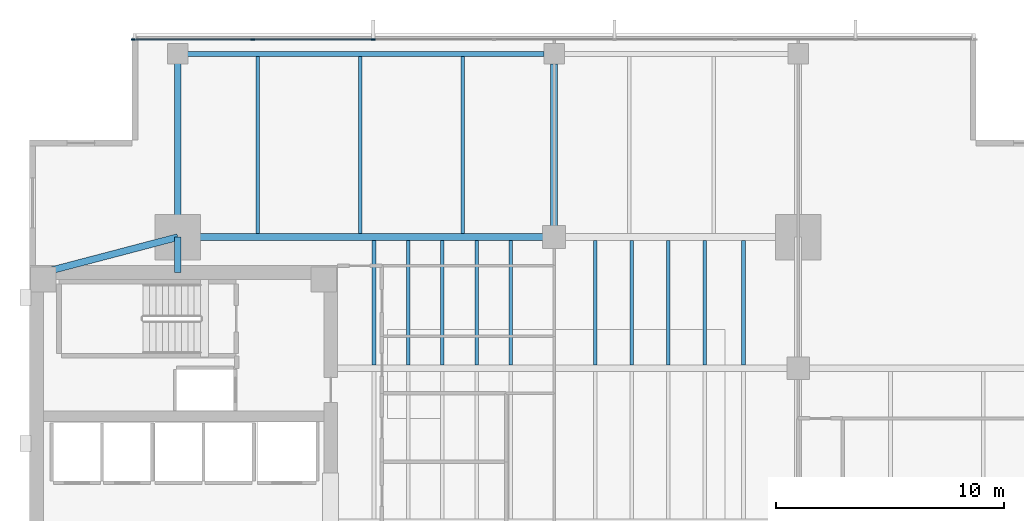
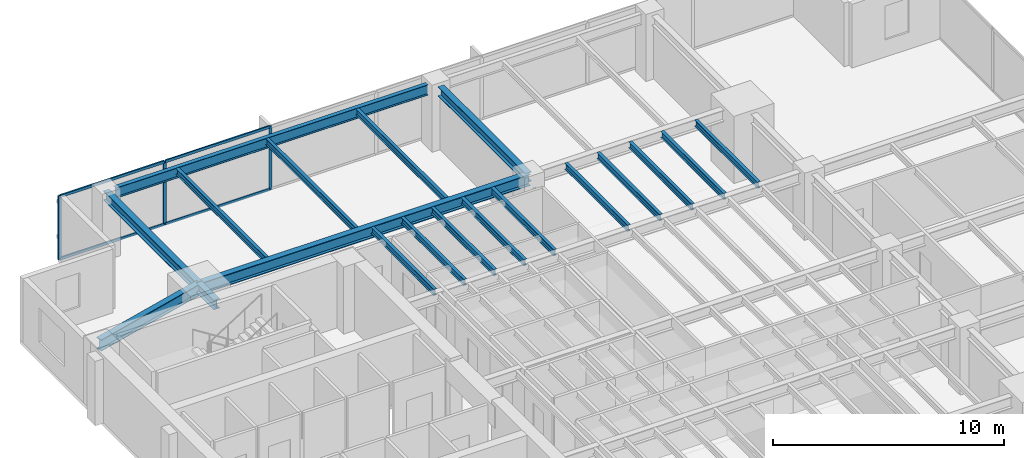
# One storey, part 5 of 15: 19 beams, 7 members, 1 element without a shape of its own.
"""IFC4 building model written with IfcOpenShell, lengths in metres."""

import ifcopenshell
import ifcopenshell.guid

model = None  # the IFC model being written
_history = None  # IfcOwnerHistory: only IFC2X3 demands one
_inside = {}  # id of a spatial element -> (the spatial element, [elements in it])
_under = {}  # id of a project, library or spatial element -> (it, [spatial elements below it])
_declared = {}  # id of a project -> (the project, [libraries it declares])
_typed = {}  # id of a type object -> (the type object, [elements of that type])
_made_of = {}  # id of a material, layer set ... -> (it, [elements and type objects made of it])


def new_model(schema):
    """Start an empty IFC model of exactly this schema.

    Asked for "IFC4X3", IfcOpenShell would pick the latest addendum, in which some entities
    have other attributes; the version numbers below select the first issue.
    IFC2X3 requires an IfcOwnerHistory on every rooted entity: one is made here for all.
    """
    global model, _history
    if schema == "IFC4X3":
        model = ifcopenshell.file(schema_version=(4, 3, 0, 0))
    else:
        model = ifcopenshell.file(schema=schema)
    _inside.clear()
    _under.clear()
    _declared.clear()
    _typed.clear()
    _made_of.clear()
    _history = None
    if model.schema == "IFC2X3":
        org = make("IfcOrganization", Name="unknown")
        user = make(
            "IfcPersonAndOrganization",
            ThePerson=make("IfcPerson", FamilyName="unknown"),
            TheOrganization=org,
        )
        app = make(
            "IfcApplication",
            ApplicationDeveloper=org,
            Version="unknown",
            ApplicationFullName="unknown",
            ApplicationIdentifier="unknown",
        )
        _history = make(
            "IfcOwnerHistory",
            OwningUser=user,
            OwningApplication=app,
            ChangeAction="ADDED",
            CreationDate=0,
        )
    return model


def make(cls, **values):
    """One entity of the class cls with the attributes given. An attribute that is None is left unset."""
    return model.create_entity(
        cls, **{name: value for name, value in values.items() if value is not None}
    )


def rooted(cls, **values):
    """An entity with a GlobalId (a new one), such as an element, a storey or a relation."""
    return make(cls, GlobalId=ifcopenshell.guid.new(), OwnerHistory=_history, **values)


def si_unit(unit_type, name, prefix=None):
    """IfcSIUnit, for example si_unit("LENGTHUNIT", "METRE", prefix="MILLI")."""
    return make("IfcSIUnit", UnitType=unit_type, Prefix=prefix, Name=name)


def assignment(units):
    """IfcUnitAssignment: the units of a project."""
    return None if units is None else make("IfcUnitAssignment", Units=units)


def point(xyz):
    """IfcCartesianPoint."""
    return None if xyz is None else make("IfcCartesianPoint", Coordinates=xyz)


def direction(xyz):
    """IfcDirection."""
    return None if xyz is None else make("IfcDirection", DirectionRatios=xyz)


def frame(location, z_axis=None, x_axis=None):
    """IfcAxis2Placement3D, a coordinate frame: its origin and axes. An axis left out is left unset."""
    return make(
        "IfcAxis2Placement3D",
        Location=point(location),
        Axis=direction(z_axis),
        RefDirection=direction(x_axis),
    )


def frame_2d(location, x_axis=None):
    """IfcAxis2Placement2D, a coordinate frame in the plane: its origin and x axis."""
    return make(
        "IfcAxis2Placement2D", Location=point(location), RefDirection=direction(x_axis)
    )


def origin():
    """The frame at (0, 0, 0) with its axes left unset."""
    return frame((0.0, 0.0, 0.0))


def origin_2d():
    """The frame at (0, 0) in the plane with its x axis left unset."""
    return frame_2d((0.0, 0.0))


def place(relative_to, where):
    """IfcLocalPlacement: puts the frame where relative to a parent placement (None: the world)."""
    return make(
        "IfcLocalPlacement", PlacementRelTo=relative_to, RelativePlacement=where
    )


def context(
    kind, dimensions, precision=None, world=None, true_north=None, identifier=None
):
    """IfcGeometricRepresentationContext, for example the 3D "Model" context."""
    return make(
        "IfcGeometricRepresentationContext",
        ContextIdentifier=identifier,
        ContextType=kind,
        CoordinateSpaceDimension=dimensions,
        Precision=precision,
        WorldCoordinateSystem=world,
        TrueNorth=true_north,
    )


def subcontext(parent, identifier, kind, view, scale=None):
    """IfcGeometricRepresentationSubContext, for example "Body" below "Model"."""
    return make(
        "IfcGeometricRepresentationSubContext",
        ContextIdentifier=identifier,
        ContextType=kind,
        ParentContext=parent,
        TargetScale=scale,
        TargetView=view,
    )


def project(units=None, contexts=None):
    """IfcProject with its units and contexts."""
    return rooted(
        "IfcProject",
        Name="project",
        RepresentationContexts=contexts,
        UnitsInContext=assignment(units),
    )


def spatial(cls, under=None, at=None, **own):
    """A site, building, storey or space (cls), placed at a placement, below another one or the project."""
    s = rooted(cls, ObjectPlacement=at, **own)
    if under is not None:
        _under.setdefault(under.id(), (under, []))[1].append(s)
    return s


def profile(cls, at=None, kind="AREA", **sizes):
    """A parametric profile (cls). Its sizes go by their IFC names, for example OverallWidth=200.0."""
    return make(cls, ProfileType=kind, Position=at, **sizes)


def rectangle(**sizes):
    """IfcRectangleProfileDef."""
    return profile("IfcRectangleProfileDef", **sizes)


def i_section(**sizes):
    """IfcIShapeProfileDef."""
    return profile("IfcIShapeProfileDef", **sizes)


def extrude(swept, where, along, depth):
    """IfcExtrudedAreaSolid: the profile swept, set in the frame where, extruded along a direction by depth."""
    return make(
        "IfcExtrudedAreaSolid",
        SweptArea=swept,
        Position=where,
        ExtrudedDirection=direction(along),
        Depth=depth,
    )


def shape(context_of_items, identifier, shape_type, items):
    """IfcShapeRepresentation: the items that make up one representation, for example the "Body"."""
    return make(
        "IfcShapeRepresentation",
        ContextOfItems=context_of_items,
        RepresentationIdentifier=identifier,
        RepresentationType=shape_type,
        Items=items,
    )


def material(Name=None, Category=None):
    """IfcMaterial."""
    return make("IfcMaterial", Name=Name, Category=Category)


def layer(
    of_material, thickness, ventilated=None, Name=None, Category=None, Priority=None
):
    """IfcMaterialLayer: one layer of a wall or slab, of a material (None: an air gap)."""
    return make(
        "IfcMaterialLayer",
        Material=of_material,
        LayerThickness=thickness,
        IsVentilated=ventilated,
        Name=Name,
        Category=Category,
        Priority=Priority,
    )


def layer_set(layers, Name=None):
    """IfcMaterialLayerSet."""
    return make("IfcMaterialLayerSet", MaterialLayers=layers, LayerSetName=Name)


def material_profile(
    of_material, cross_section, Name=None, Category=None, Priority=None
):
    """IfcMaterialProfile: a cross section and its material."""
    return make(
        "IfcMaterialProfile",
        Name=Name,
        Material=of_material,
        Profile=cross_section,
        Priority=Priority,
        Category=Category,
    )


def profile_set(profiles, Name=None, composite=None):
    """IfcMaterialProfileSet."""
    return make(
        "IfcMaterialProfileSet",
        Name=Name,
        MaterialProfiles=profiles,
        CompositeProfile=composite,
    )


def made_of(thing, what):
    """Note that an element or type object is made of a material, layer set ...; save() writes the relation."""
    if what is not None:
        _made_of.setdefault(what.id(), (what, []))[1].append(thing)
    return thing


def type_object(cls, material=None, **own):
    """A type object (cls), such as IfcWallType, which elements share."""
    return made_of(rooted(cls, **own), material)


def element(
    cls,
    number,
    at=None,
    inside=None,
    cuts=None,
    type_object=None,
    material=None,
    context=None,
    identifier="Body",
    shape_type=None,
    held_by="IfcProductDefinitionShape",
    body=None,
    shapes=None,
    **own,
):
    """One element of the class cls, such as IfcWall. Its Tag is "e" and its number.

    at: its placement. inside: the storey or other place that contains it. cuts: it is an
    opening in that element (IfcRelVoidsElement). A single representation is given by context,
    identifier, shape_type and body (its items); several are given by shapes. held_by: the class
    of the entity that holds the representations. save() writes the other relations.
    """
    e = rooted(cls, Tag="e%d" % number, ObjectPlacement=at, **own)
    if body is not None:
        shapes = [shape(context, identifier, shape_type, body)]
    if shapes is not None:
        e.Representation = make(held_by, Representations=shapes)
    if inside is not None:
        _inside.setdefault(inside.id(), (inside, []))[1].append(e)
    if cuts is not None:
        rooted(
            "IfcRelVoidsElement", RelatingBuildingElement=cuts, RelatedOpeningElement=e
        )
    if type_object is not None:
        _typed.setdefault(type_object.id(), (type_object, []))[1].append(e)
    return made_of(e, material)


def aggregate(whole, parts):
    """IfcRelAggregates: a whole, such as a stair, and the parts it consists of."""
    return rooted("IfcRelAggregates", RelatingObject=whole, RelatedObjects=parts)


def save(model, path):
    """Write the relations noted so far, then the file.

    IfcRelAggregates (storeys below a building ...), IfcRelContainedInSpatialStructure (elements
    in a storey), IfcRelDefinesByType, IfcRelAssociatesMaterial and IfcRelDeclares: one each for
    every whole, place, type object, material and project.
    """
    for whole, parts in _under.values():
        aggregate(whole, parts)
    for where, things in _inside.values():
        rooted(
            "IfcRelContainedInSpatialStructure",
            RelatedElements=things,
            RelatingStructure=where,
        )
    for kind, things in _typed.values():
        rooted("IfcRelDefinesByType", RelatedObjects=things, RelatingType=kind)
    for what, things in _made_of.values():
        rooted("IfcRelAssociatesMaterial", RelatedObjects=things, RelatingMaterial=what)
    for by, libraries in _declared.values():
        rooted("IfcRelDeclares", RelatingContext=by, RelatedDefinitions=libraries)
    model.write(path)


model = new_model("IFC4")

# Units and contexts
model_context = context("Model", 3, precision=1e-05, world=origin(), true_north=direction((0.0, 1.0)))
body_context = subcontext(model_context, "Body", "Model", "MODEL_VIEW")
ifc_project = project(units=[si_unit("LENGTHUNIT", "METRE"), si_unit("AREAUNIT", "SQUARE_METRE"), si_unit("VOLUMEUNIT", "CUBIC_METRE"), si_unit("PLANEANGLEUNIT", "RADIAN"), si_unit("MASSUNIT", "GRAM", prefix="KILO")], contexts=[model_context])

# Site, building, storey
site_placement = place(None, origin())
site = spatial("IfcSite", under=ifc_project, at=site_placement, CompositionType="ELEMENT")
building_placement = place(site_placement, origin())
building = spatial("IfcBuilding", under=site, at=building_placement, Name="Kinhvarn Gate Tower", CompositionType="ELEMENT")
storey_placement = place(building_placement, frame((0.0, 0.0, 109.35009765625)))
storey = spatial("IfcBuildingStorey", under=building, at=storey_placement, Name="L28", CompositionType="ELEMENT", Elevation=109.35009765625)

# Curtain wall, members
ifc_material_1 = material(Name="Anodised aluminium AW-6063", Category="aluminium")
ifc_layer = layer(ifc_material_1, 0.179931640625)
ifc_layer_set = layer_set([ifc_layer], Name="Anodised aluminium AW-6063")
curtain_wall_type = type_object("IfcCurtainWallType", Name="CW-SYS-3", PredefinedType="NOTDEFINED", material=ifc_layer_set)
curtain_wall_placement = place(storey_placement, origin())
curtain_wall = element("IfcCurtainWall", 1, at=curtain_wall_placement, inside=storey, type_object=curtain_wall_type, Name="Curtain Wall CW3 (L28)", PredefinedType="NOTDEFINED")
ifc_material_profile_1 = material_profile(ifc_material_1, rectangle(XDim=0.06494140625, YDim=0.159912109375, at=origin_2d()), Name="ALU 65x160")
ifc_profile_set_1 = profile_set([ifc_material_profile_1], Name="Anodised aluminium AW-6063")
member_type_1 = type_object("IfcMemberType", Name="CW-MUL-160", PredefinedType="MULLION", material=ifc_profile_set_1)
member_1_placement = place(storey_placement, frame((19.571533203125, 46.409912109375, 0.0), z_axis=(0.0, 0.0, 1.0), x_axis=(0.0, -1.0, 0.0)))
member_1 = element("IfcMember", 2, at=member_1_placement, type_object=member_type_1, Name="CW3 mullion 6", PredefinedType="MULLION", context=body_context, shape_type="SweptSolid", body=[
    extrude(rectangle(XDim=0.06494140625, YDim=0.159912109375, at=origin_2d()), origin(), (0.0, 0.0, 1.0), 3.369873046875),
])
member_2_placement = place(storey_placement, frame((14.28564453125, 46.409912109375, 0.0), z_axis=(0.0, 0.0, 1.0), x_axis=(0.0, -1.0, 0.0)))
member_2 = element("IfcMember", 3, at=member_2_placement, type_object=member_type_1, Name="CW3 mullion 7", PredefinedType="MULLION", context=body_context, shape_type="SweptSolid", body=[
    extrude(rectangle(XDim=0.06494140625, YDim=0.159912109375, at=origin_2d()), origin(), (0.0, 0.0, 1.0), 3.369873046875),
])
member_3_placement = place(storey_placement, frame((9.032470703125, 46.409912109375, 0.0), z_axis=(0.0, 0.0, 1.0), x_axis=(0.0, -1.0, 0.0)))
member_3 = element("IfcMember", 4, at=member_3_placement, type_object=member_type_1, Name="CW3 mullion 8", PredefinedType="MULLION", context=body_context, shape_type="SweptSolid", body=[
    extrude(rectangle(XDim=0.06494140625, YDim=0.159912109375, at=origin_2d()), origin(), (0.0, 0.0, 1.0), 3.369873046875),
])
ifc_material_profile_2 = material_profile(ifc_material_1, rectangle(XDim=0.070068359375, YDim=0.139892578125, at=origin_2d()), Name="ALU 70x140")
ifc_profile_set_2 = profile_set([ifc_material_profile_2], Name="Anodised aluminium AW-6063")
member_type_2 = type_object("IfcMemberType", Name="CW-TRN-140", PredefinedType="USERDEFINED", material=ifc_profile_set_2)
member_4_placement = place(storey_placement, frame((19.538818359375, 46.409912109375, 0.034912109375), z_axis=(-1.0, 0.0, 0.0), x_axis=(0.0, -1.0, 0.0)))
member_4 = element("IfcMember", 5, at=member_4_placement, type_object=member_type_2, Name="CW3 transom 6.1", ObjectType="TRANSOM", PredefinedType="USERDEFINED", context=body_context, shape_type="SweptSolid", body=[
    extrude(rectangle(XDim=0.070068359375, YDim=0.139892578125, at=origin_2d()), origin(), (0.0, 0.0, 1.0), 5.220703125),
])
member_5_placement = place(storey_placement, frame((19.538818359375, 46.409912109375, 3.3349609375), z_axis=(-1.0, 0.0, 0.0), x_axis=(0.0, -1.0, 0.0)))
member_5 = element("IfcMember", 6, at=member_5_placement, type_object=member_type_2, Name="CW3 transom 6.2", ObjectType="TRANSOM", PredefinedType="USERDEFINED", context=body_context, shape_type="SweptSolid", body=[
    extrude(rectangle(XDim=0.070068359375, YDim=0.139892578125, at=origin_2d()), origin(), (0.0, 0.0, 1.0), 5.220703125),
])
member_6_placement = place(storey_placement, frame((14.253173828125, 46.409912109375, 0.034912109375), z_axis=(-1.0, 0.0, 0.0), x_axis=(0.0, -1.0, 0.0)))
member_6 = element("IfcMember", 7, at=member_6_placement, type_object=member_type_2, Name="CW3 transom 7.1", ObjectType="TRANSOM", PredefinedType="USERDEFINED", context=body_context, shape_type="SweptSolid", body=[
    extrude(rectangle(XDim=0.070068359375, YDim=0.139892578125, at=origin_2d()), origin(), (0.0, 0.0, 1.0), 5.188232421875),
])
member_7_placement = place(storey_placement, frame((14.253173828125, 46.409912109375, 3.3349609375), z_axis=(-1.0, 0.0, 0.0), x_axis=(0.0, -1.0, 0.0)))
member_7 = element("IfcMember", 8, at=member_7_placement, type_object=member_type_2, Name="CW3 transom 7.2", ObjectType="TRANSOM", PredefinedType="USERDEFINED", context=body_context, shape_type="SweptSolid", body=[
    extrude(rectangle(XDim=0.070068359375, YDim=0.139892578125, at=origin_2d()), origin(), (0.0, 0.0, 1.0), 5.188232421875),
])
aggregate(curtain_wall, [member_1, member_2, member_3, member_4, member_5, member_6, member_7])

# Beams
ifc_material_2 = material(Name="Steel S355", Category="steel")
ifc_material_profile_3 = material_profile(ifc_material_2, i_section(OverallWidth=0.300048828125, OverallDepth=0.5, WebThickness=0.014404296875, FlangeThickness=0.028076171875, at=origin_2d()), Name="HEB 500")
ifc_profile_set_3 = profile_set([ifc_material_profile_3], Name="Steel S355")
beam_type_1 = type_object("IfcBeamType", Name="STL-HEB500", PredefinedType="BEAM", material=ifc_profile_set_3)
beam_1_placement = place(storey_placement, frame((11.0, 36.199951171875, 3.119873046875), z_axis=(0.0, 1.0, 0.0), x_axis=(-1.0, 0.0, 0.0)))
element("IfcBeam", 9, at=beam_1_placement, inside=storey, type_object=beam_type_1, Name="Floor Beam PG-14 (L28 MCW-CN)", PredefinedType="BEAM", context=body_context, shape_type="SweptSolid", body=[
    extrude(i_section(OverallWidth=0.300048828125, OverallDepth=0.5, WebThickness=0.014404296875, FlangeThickness=0.028076171875, at=origin_2d()), origin(), (0.0, 0.0, 1.0), 1.550048828125),
])
beam_2_placement = place(storey_placement, frame((11.0, 37.75, 3.119873046875), z_axis=(0.0, 1.0, 0.0), x_axis=(-1.0, 0.0, 0.0)))
element("IfcBeam", 10, at=beam_2_placement, inside=storey, type_object=beam_type_1, Name="Floor Beam PG-14 (L28 MCW-N)", PredefinedType="BEAM", context=body_context, shape_type="SweptSolid", body=[
    extrude(i_section(OverallWidth=0.300048828125, OverallDepth=0.5, WebThickness=0.014404296875, FlangeThickness=0.028076171875, at=origin_2d()), origin(), (0.0, 0.0, 1.0), 8.030029296875),
])
beam_3_placement = place(storey_placement, frame((27.5, 37.75, 3.119873046875), z_axis=(0.0, 1.0, 0.0), x_axis=(-1.0, 0.0, 0.0)))
element("IfcBeam", 11, at=beam_3_placement, inside=storey, type_object=beam_type_1, Name="Floor Beam PG-14 (L28 SP27-N-TIE)", PredefinedType="BEAM", context=body_context, shape_type="SweptSolid", body=[
    extrude(i_section(OverallWidth=0.300048828125, OverallDepth=0.5, WebThickness=0.014404296875, FlangeThickness=0.028076171875, at=origin_2d()), origin(), (0.0, 0.0, 1.0), 7.594970703125),
])
ifc_material_profile_4 = material_profile(ifc_material_2, i_section(OverallWidth=0.300048828125, OverallDepth=0.60009765625, WebThickness=0.015380859375, FlangeThickness=0.030029296875, at=origin_2d()), Name="HEB 600")
ifc_profile_set_4 = profile_set([ifc_material_profile_4], Name="Steel S355")
beam_type_2 = type_object("IfcBeamType", Name="STL-HEB600", PredefinedType="BEAM", material=ifc_profile_set_4)
beam_4_placement = place(storey_placement, frame((11.0, 37.75, 3.06982421875), z_axis=(1.0, 0.0, 0.0), x_axis=(0.0, 1.0, 0.0)))
element("IfcBeam", 12, at=beam_4_placement, inside=storey, type_object=beam_type_2, Name="Floor Beam PG-16 (L28 MG-N1)", PredefinedType="BEAM", context=body_context, shape_type="SweptSolid", body=[
    extrude(i_section(OverallWidth=0.300048828125, OverallDepth=0.60009765625, WebThickness=0.015380859375, FlangeThickness=0.030029296875, at=origin_2d()), origin(), (0.0, 0.0, 1.0), 16.5),
])
beam_5_placement = place(storey_placement, frame((5.10009765625, 36.199951171875, 3.06982421875), z_axis=(0.967177623957, 0.254101246979, 0.0), x_axis=(-0.254101246979, 0.967177623957, 0.0)))
element("IfcBeam", 13, at=beam_5_placement, inside=storey, type_object=beam_type_2, Name="Floor Beam PG-16 (L28 MG-NW-DIAG)", PredefinedType="BEAM", context=body_context, shape_type="SweptSolid", body=[
    extrude(i_section(OverallWidth=0.300048828125, OverallDepth=0.60009765625, WebThickness=0.015380859375, FlangeThickness=0.030029296875, at=origin_2d()), origin(), (0.0, 0.0, 1.0), 6.10009765625),
])
ifc_material_profile_5 = material_profile(ifc_material_2, i_section(OverallWidth=0.159912109375, OverallDepth=0.330078125, WebThickness=0.007568359375, FlangeThickness=0.011474609375, at=origin_2d()), Name="IPE 330")
ifc_profile_set_5 = profile_set([ifc_material_profile_5], Name="Steel S355")
beam_type_3 = type_object("IfcBeamType", Name="STL-IPE330", PredefinedType="JOIST", material=ifc_profile_set_5)
for number, where, z_axis, x_axis, name in (
    (14, (19.60009765625, 32.14990234375, 3.204833984375), (0.0, 1.0, 0.0), (-1.0, 0.0, 0.0), "Floor Joist SB-03 (L28 JC-X196-3)"),
    (15, (21.10009765625, 32.14990234375, 3.204833984375), (0.0, 1.0, 0.0), (-1.0, 0.0, 0.0), "Floor Joist SB-03 (L28 JC-X211-3)"),
    (16, (22.60009765625, 32.14990234375, 3.204833984375), (0.0, 1.0, 0.0), (-1.0, 0.0, 0.0), "Floor Joist SB-03 (L28 JC-X226-3)"),
    (17, (24.10009765625, 32.14990234375, 3.204833984375), (0.0, 1.0, 0.0), (-1.0, 0.0, 0.0), "Floor Joist SB-03 (L28 JC-X241-3)"),
    (18, (25.60009765625, 32.14990234375, 3.204833984375), (0.0, 1.0, 0.0), (-1.0, 0.0, 0.0), "Floor Joist SB-03 (L28 JC-X256-3)"),
    (19, (29.300048828125, 32.14990234375, 3.204833984375), (0.0, 1.0, 0.0), (-1.0, 0.0, 0.0), "Floor Joist SB-03 (L28 JC-X293-3)"),
    (20, (30.89990234375, 32.14990234375, 3.204833984375), (0.0, 1.0, 0.0), (-1.0, 0.0, 0.0), "Floor Joist SB-03 (L28 JC-X309-3)"),
    (21, (32.5, 32.14990234375, 3.204833984375), (0.0, 1.0, 0.0), (-1.0, 0.0, 0.0), "Floor Joist SB-03 (L28 JC-X325-3)"),
    (22, (34.10009765625, 32.14990234375, 3.204833984375), (0.0, 1.0, 0.0), (-1.0, 0.0, 0.0), "Floor Joist SB-03 (L28 JC-X341-3)"),
    (23, (35.800048828125, 32.14990234375, 3.204833984375), (0.0, 1.0, 0.0), (-1.0, 0.0, 0.0), "Floor Joist SB-03 (L28 JC-X358-3)"),
):
    element("IfcBeam", number, at=place(storey_placement, frame(where, z_axis=z_axis, x_axis=x_axis)), inside=storey, type_object=beam_type_3, Name=name, PredefinedType="JOIST", context=body_context, shape_type="SweptSolid", body=[
        extrude(i_section(OverallWidth=0.159912109375, OverallDepth=0.330078125, WebThickness=0.007568359375, FlangeThickness=0.011474609375, at=origin_2d()), origin(), (0.0, 0.0, 1.0), 5.4501953125),
    ])
for number, where, z_axis, x_axis, name in (
    (24, (14.5, 37.89990234375, 3.204833984375), (0.0, 1.0, 0.0), (-1.0, 0.0, 0.0), "Floor Joist SB-03 (L28 JN-X145)"),
    (25, (19.0, 37.89990234375, 3.204833984375), (0.0, 1.0, 0.0), (-1.0, 0.0, 0.0), "Floor Joist SB-03 (L28 JN-X190)"),
    (26, (23.5, 37.89990234375, 3.204833984375), (0.0, 1.0, 0.0), (-1.0, 0.0, 0.0), "Floor Joist SB-03 (L28 JN-X235)"),
):
    element("IfcBeam", number, at=place(storey_placement, frame(where, z_axis=z_axis, x_axis=x_axis)), inside=storey, type_object=beam_type_3, Name=name, PredefinedType="JOIST", context=body_context, shape_type="SweptSolid", body=[
        extrude(i_section(OverallWidth=0.159912109375, OverallDepth=0.330078125, WebThickness=0.007568359375, FlangeThickness=0.011474609375, at=origin_2d()), origin(), (0.0, 0.0, 1.0), 7.775146484375),
    ])
ifc_material_profile_6 = material_profile(ifc_material_2, i_section(OverallWidth=0.2099609375, OverallDepth=0.550048828125, WebThickness=0.010986328125, FlangeThickness=0.01708984375, at=origin_2d()), Name="IPE 550")
ifc_profile_set_6 = profile_set([ifc_material_profile_6], Name="Steel S355")
beam_type_4 = type_object("IfcBeamType", Name="STL-IPE550", PredefinedType="SPANDREL", material=ifc_profile_set_6)
beam_6_placement = place(storey_placement, frame((11.43505859375, 45.780029296875, 3.094970703125), z_axis=(1.0, 0.0, 0.0), x_axis=(0.0, 1.0, 0.0)))
element("IfcBeam", 27, at=beam_6_placement, inside=storey, type_object=beam_type_4, Name="Floor Spandrel SB-08 (L28 SP-N1)", PredefinedType="SPANDREL", context=body_context, shape_type="SweptSolid", body=[
    extrude(i_section(OverallWidth=0.2099609375, OverallDepth=0.550048828125, WebThickness=0.010986328125, FlangeThickness=0.01708984375, at=origin_2d()), origin(), (0.0, 0.0, 1.0), 15.6298828125),
])

save(model, "model.ifc")
